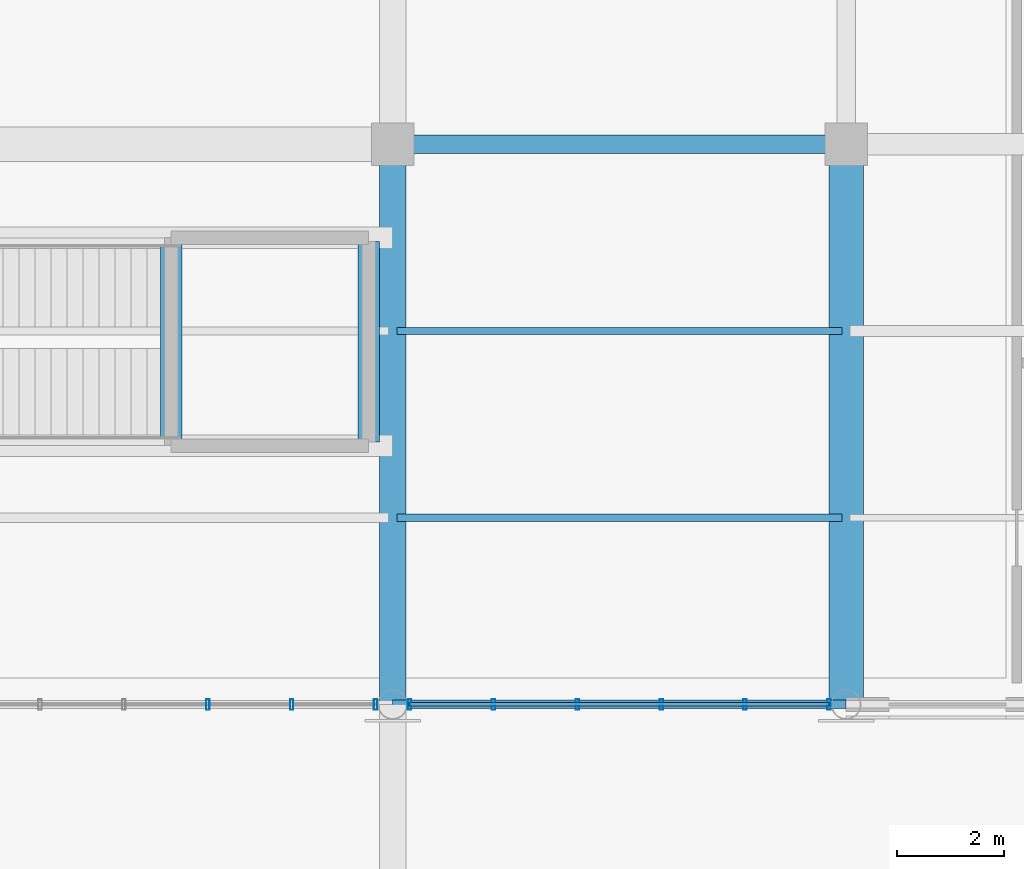
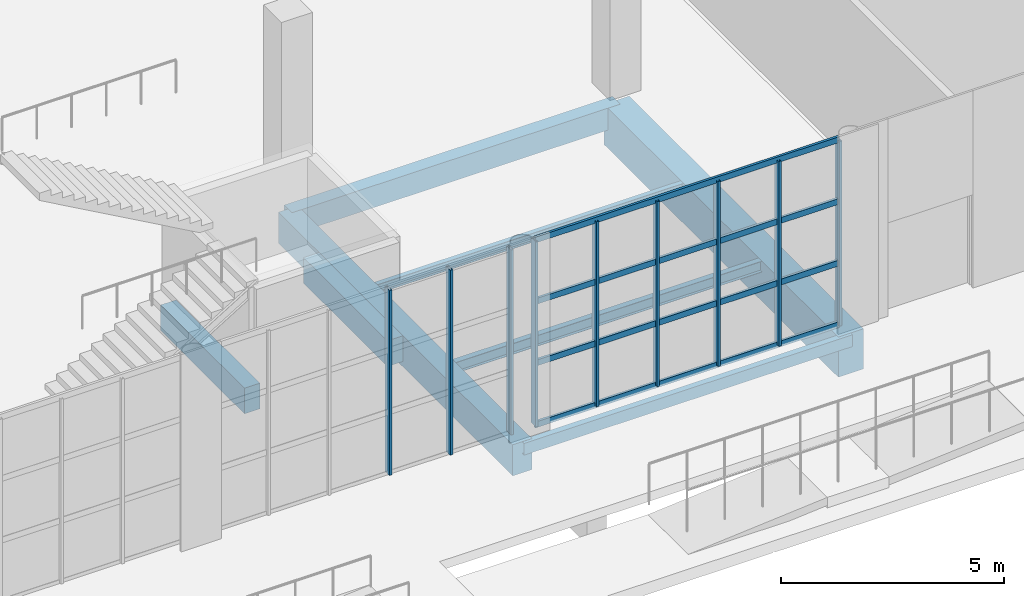
# One storey, part 10 of 90: 13 members, 8 beams, 2 elements without a shape of their own.
"""IFC4 building model written with IfcOpenShell, lengths in metres."""

from ifc_helpers import new_model, si_unit, direction, frame, origin, origin_2d, place, context, subcontext, project, spatial, rectangle, hollow_rectangle, i_section, extrude, material, material_profile, profile_set, type_object, element, aggregate, save


model = new_model("IFC4")

# Units and contexts
model_context = context("Model", 3, precision=1e-05, world=origin(), true_north=direction((0.0, 1.0)))
body_context = subcontext(model_context, "Body", "Model", "MODEL_VIEW")
ifc_project = project(units=[si_unit("LENGTHUNIT", "METRE"), si_unit("AREAUNIT", "SQUARE_METRE"), si_unit("VOLUMEUNIT", "CUBIC_METRE"), si_unit("PLANEANGLEUNIT", "RADIAN"), si_unit("MASSUNIT", "GRAM", prefix="KILO")], contexts=[model_context])

# Site, building, storey
site_placement = place(None, origin())
site = spatial("IfcSite", under=ifc_project, at=site_placement, CompositionType="ELEMENT")
building_placement = place(site_placement, origin())
building = spatial("IfcBuilding", under=site, at=building_placement, Name="Solvikara Media Centre", CompositionType="ELEMENT")
storey_placement = place(building_placement, origin())
storey = spatial("IfcBuildingStorey", under=building, at=storey_placement, Name="L00", CompositionType="ELEMENT", Elevation=0.0)

# Beams
ifc_material_1 = material(Name="Concrete fc' 35 MPa (C35/45)", Category="concrete")
ifc_material_profile_1 = material_profile(ifc_material_1, rectangle(XDim=0.35009765625, YDim=0.60009765625, at=origin_2d()), Name="RC 350x600")
ifc_profile_set_1 = profile_set([ifc_material_profile_1], Name="Concrete fc' 35 MPa (C35/45)")
beam_type_1 = type_object("IfcBeamType", Name="BM-01", PredefinedType="BEAM", material=ifc_profile_set_1)
beam_1_placement = place(storey_placement, frame((51.0, 10.5, -0.639892578125), z_axis=(1.0, 0.0, 0.0), x_axis=(0.0, 1.0, 0.0)))
element("IfcBeam", 1, at=beam_1_placement, inside=storey, type_object=beam_type_1, Name="B-L00-X0025", PredefinedType="BEAM", context=body_context, shape_type="SweptSolid", body=[
    extrude(rectangle(XDim=0.35009765625, YDim=0.60009765625, at=origin_2d()), origin(), (0.0, 0.0, 1.0), 8.5),
])
ifc_material_profile_2 = material_profile(ifc_material_1, rectangle(XDim=0.39990234375, YDim=0.699951171875, at=origin_2d()), Name="RC 400x700")
ifc_profile_set_2 = profile_set([ifc_material_profile_2], Name="Concrete fc' 35 MPa (C35/45)")
beam_type_2 = type_object("IfcBeamType", Name="BM-03", PredefinedType="BEAM", material=ifc_profile_set_2)
for number, where, z_axis, x_axis, name in (
    (2, (50.550048828125, 4.919921875, -0.68994140625), (0.0, 1.0, 0.0), (-1.0, 0.0, 0.0), "B-FOY1-E"),
    (3, (46.85009765625, 4.919921875, -0.68994140625), (0.0, 1.0, 0.0), (-1.0, 0.0, 0.0), "B-FOY1-W"),
):
    element("IfcBeam", number, at=place(storey_placement, frame(where, z_axis=z_axis, x_axis=x_axis)), inside=storey, type_object=beam_type_2, Name=name, PredefinedType="BEAM", context=body_context, shape_type="SweptSolid", body=[
        extrude(rectangle(XDim=0.39990234375, YDim=0.699951171875, at=origin_2d()), origin(), (0.0, 0.0, 1.0), 3.760009765625),
    ])
ifc_material_profile_3 = material_profile(ifc_material_1, rectangle(XDim=0.5, YDim=0.85009765625, at=origin_2d()), Name="RC 500x850")
ifc_profile_set_3 = profile_set([ifc_material_profile_3], Name="Concrete fc' 35 MPa (C35/45)")
beam_type_3 = type_object("IfcBeamType", Name="BM-08", PredefinedType="BEAM", material=ifc_profile_set_3)
beam_2_placement = place(storey_placement, frame((51.0, 0.0, -0.764892578125), z_axis=(0.0, 1.0, 0.0), x_axis=(-1.0, 0.0, 0.0)))
element("IfcBeam", 4, at=beam_2_placement, inside=storey, type_object=beam_type_3, Name="B-L00-Y0164", PredefinedType="BEAM", context=body_context, shape_type="SweptSolid", body=[
    extrude(rectangle(XDim=0.5, YDim=0.85009765625, at=origin_2d()), origin(), (0.0, 0.0, 1.0), 10.5),
])
ifc_material_2 = material(Name="Concrete fc' 45 MPa (C45/55)", Category="concrete")
ifc_material_profile_4 = material_profile(ifc_material_2, rectangle(XDim=0.64990234375, YDim=1.10009765625, at=origin_2d()), Name="RC 650x1100")
ifc_profile_set_4 = profile_set([ifc_material_profile_4], Name="Concrete fc' 45 MPa (C45/55)")
beam_type_4 = type_object("IfcBeamType", Name="BM-12", PredefinedType="BEAM", material=ifc_profile_set_4)
beam_3_placement = place(storey_placement, frame((59.5, 0.0, -0.889892578125), z_axis=(0.0, 1.0, 0.0), x_axis=(-1.0, 0.0, 0.0)))
element("IfcBeam", 5, at=beam_3_placement, inside=storey, type_object=beam_type_4, Name="B-L00-Y0168", PredefinedType="BEAM", context=body_context, shape_type="SweptSolid", body=[
    extrude(rectangle(XDim=0.64990234375, YDim=1.10009765625, at=origin_2d()), origin(), (0.0, 0.0, 1.0), 10.5),
])
ifc_material_3 = material(Name="Steel S355JR", Category="steel")
ifc_material_profile_5 = material_profile(ifc_material_3, i_section(OverallWidth=0.14892578125, OverallDepth=0.298095703125, WebThickness=0.005615234375, FlangeThickness=0.008056640625, at=origin_2d()), Name="WF 298x149x5.5x8")
ifc_profile_set_5 = profile_set([ifc_material_profile_5], Name="Steel S355JR")
beam_type_5 = type_object("IfcBeamType", Name="BM-39", PredefinedType="JOIST", material=ifc_profile_set_5)
beam_4_placement = place(storey_placement, frame((51.077880859375, 3.5, -0.490966796875), z_axis=(1.0, 0.0, 0.0), x_axis=(0.0, 1.0, 0.0)))
element("IfcBeam", 6, at=beam_4_placement, inside=storey, type_object=beam_type_5, Name="J-L00-0343", PredefinedType="JOIST", context=body_context, shape_type="SweptSolid", body=[
    extrude(i_section(OverallWidth=0.14892578125, OverallDepth=0.298095703125, WebThickness=0.005615234375, FlangeThickness=0.008056640625, at=origin_2d()), origin(), (0.0, 0.0, 1.0), 8.34423828125),
])
ifc_material_profile_6 = material_profile(ifc_material_3, i_section(OverallWidth=0.1240234375, OverallDepth=0.248046875, WebThickness=0.0048828125, FlangeThickness=0.008056640625, at=origin_2d()), Name="WF 248x124x5x8")
ifc_profile_set_6 = profile_set([ifc_material_profile_6], Name="Steel S355JR")
beam_type_6 = type_object("IfcBeamType", Name="BM-40", PredefinedType="JOIST", material=ifc_profile_set_6)
beam_5_placement = place(storey_placement, frame((51.077880859375, 7.0, -0.466064453125), z_axis=(1.0, 0.0, 0.0), x_axis=(0.0, 1.0, 0.0)))
element("IfcBeam", 7, at=beam_5_placement, inside=storey, type_object=beam_type_6, Name="J-L00-0344", PredefinedType="JOIST", context=body_context, shape_type="SweptSolid", body=[
    extrude(i_section(OverallWidth=0.1240234375, OverallDepth=0.248046875, WebThickness=0.0048828125, FlangeThickness=0.008056640625, at=origin_2d()), origin(), (0.0, 0.0, 1.0), 8.34423828125),
])
ifc_material_profile_7 = material_profile(ifc_material_3, hollow_rectangle(XDim=0.159912109375, YDim=0.320068359375, WallThickness=0.010009765625, at=origin_2d()), Name="RHS 320x160x10")
ifc_profile_set_7 = profile_set([ifc_material_profile_7], Name="Steel S355JR")
beam_type_7 = type_object("IfcBeamType", Name="BM-45", PredefinedType="SPANDREL", material=ifc_profile_set_7)
beam_6_placement = place(storey_placement, frame((51.0, 0.0, -0.501953125), z_axis=(1.0, 0.0, 0.0), x_axis=(0.0, 1.0, 0.0)))
element("IfcBeam", 8, at=beam_6_placement, inside=storey, type_object=beam_type_7, Name="B-L00-X0007", PredefinedType="SPANDREL", context=body_context, shape_type="SweptSolid", body=[
    extrude(hollow_rectangle(XDim=0.159912109375, YDim=0.320068359375, WallThickness=0.010009765625, at=origin_2d()), origin(), (0.0, 0.0, 1.0), 8.5),
])

# Curtain wall, members
ifc_material_4 = material(Name="Anodised aluminium EN AW-6063", Category="aluminium")
curtain_wall_type = type_object("IfcCurtainWallType", Name="CW-03", PredefinedType="NOTDEFINED", material=ifc_material_4)
curtain_wall_1_placement = place(storey_placement, origin())
curtain_wall_1 = element("IfcCurtainWall", 9, at=curtain_wall_1_placement, inside=storey, type_object=curtain_wall_type, Name="CW-L00-FOY-S2", PredefinedType="NOTDEFINED")
ifc_material_profile_8 = material_profile(ifc_material_4, hollow_rectangle(XDim=0.06494140625, YDim=0.199951171875, WallThickness=0.00390625, at=origin_2d()), Name="ALU-M 65x200x4")
ifc_profile_set_8 = profile_set([ifc_material_profile_8], Name="Anodised aluminium EN AW-6063")
member_type_1 = type_object("IfcMemberType", Name="MF-02", PredefinedType="MULLION", material=ifc_profile_set_8)
member_1_placement = place(storey_placement, frame((47.535888671875, 0.0, 0.02001953125), z_axis=(0.0, 0.0, 1.0), x_axis=(1.0, 0.0, 0.0)))
member_1 = element("IfcMember", 10, at=member_1_placement, type_object=member_type_1, Name="CW-L00-FOY-S2-M03", PredefinedType="MULLION", context=body_context, shape_type="SweptSolid", body=[
    extrude(hollow_rectangle(XDim=0.06494140625, YDim=0.199951171875, WallThickness=0.00390625, at=origin_2d()), origin(), (0.0, 0.0, 1.0), 5.06005859375),
])
member_2_placement = place(storey_placement, frame((49.10888671875, 0.0, 0.02001953125), z_axis=(0.0, 0.0, 1.0), x_axis=(1.0, 0.0, 0.0)))
member_2 = element("IfcMember", 11, at=member_2_placement, type_object=member_type_1, Name="CW-L00-FOY-S2-M04", PredefinedType="MULLION", context=body_context, shape_type="SweptSolid", body=[
    extrude(hollow_rectangle(XDim=0.06494140625, YDim=0.199951171875, WallThickness=0.00390625, at=origin_2d()), origin(), (0.0, 0.0, 1.0), 5.06005859375),
])
member_3_placement = place(storey_placement, frame((50.680908203125, 0.0, 0.02001953125), z_axis=(0.0, 0.0, 1.0), x_axis=(1.0, 0.0, 0.0)))
member_3 = element("IfcMember", 12, at=member_3_placement, type_object=member_type_1, Name="CW-L00-FOY-S2-M05", PredefinedType="MULLION", context=body_context, shape_type="SweptSolid", body=[
    extrude(hollow_rectangle(XDim=0.06494140625, YDim=0.199951171875, WallThickness=0.00390625, at=origin_2d()), origin(), (0.0, 0.0, 1.0), 5.06005859375),
])
aggregate(curtain_wall_1, [member_1, member_2, member_3])

curtain_wall_2_placement = place(storey_placement, origin())
curtain_wall_2 = element("IfcCurtainWall", 13, at=curtain_wall_2_placement, inside=storey, type_object=curtain_wall_type, Name="CW-L00-FOY-S3", PredefinedType="NOTDEFINED")
member_4_placement = place(storey_placement, frame((51.319091796875, 0.0, 0.02001953125), z_axis=(0.0, 0.0, 1.0), x_axis=(1.0, 0.0, 0.0)))
member_4 = element("IfcMember", 14, at=member_4_placement, type_object=member_type_1, Name="CW-L00-FOY-S3-M00", PredefinedType="MULLION", context=body_context, shape_type="SweptSolid", body=[
    extrude(hollow_rectangle(XDim=0.06494140625, YDim=0.199951171875, WallThickness=0.00390625, at=origin_2d()), origin(), (0.0, 0.0, 1.0), 5.06005859375),
])
member_5_placement = place(storey_placement, frame((52.89111328125, 0.0, 0.02001953125), z_axis=(0.0, 0.0, 1.0), x_axis=(1.0, 0.0, 0.0)))
member_5 = element("IfcMember", 15, at=member_5_placement, type_object=member_type_1, Name="CW-L00-FOY-S3-M01", PredefinedType="MULLION", context=body_context, shape_type="SweptSolid", body=[
    extrude(hollow_rectangle(XDim=0.06494140625, YDim=0.199951171875, WallThickness=0.00390625, at=origin_2d()), origin(), (0.0, 0.0, 1.0), 5.06005859375),
])
member_6_placement = place(storey_placement, frame((54.464111328125, 0.0, 0.02001953125), z_axis=(0.0, 0.0, 1.0), x_axis=(1.0, 0.0, 0.0)))
member_6 = element("IfcMember", 16, at=member_6_placement, type_object=member_type_1, Name="CW-L00-FOY-S3-M02", PredefinedType="MULLION", context=body_context, shape_type="SweptSolid", body=[
    extrude(hollow_rectangle(XDim=0.06494140625, YDim=0.199951171875, WallThickness=0.00390625, at=origin_2d()), origin(), (0.0, 0.0, 1.0), 5.06005859375),
])
member_7_placement = place(storey_placement, frame((56.035888671875, 0.0, 0.02001953125), z_axis=(0.0, 0.0, 1.0), x_axis=(1.0, 0.0, 0.0)))
member_7 = element("IfcMember", 17, at=member_7_placement, type_object=member_type_1, Name="CW-L00-FOY-S3-M03", PredefinedType="MULLION", context=body_context, shape_type="SweptSolid", body=[
    extrude(hollow_rectangle(XDim=0.06494140625, YDim=0.199951171875, WallThickness=0.00390625, at=origin_2d()), origin(), (0.0, 0.0, 1.0), 5.06005859375),
])
member_8_placement = place(storey_placement, frame((57.60888671875, 0.0, 0.02001953125), z_axis=(0.0, 0.0, 1.0), x_axis=(1.0, 0.0, 0.0)))
member_8 = element("IfcMember", 18, at=member_8_placement, type_object=member_type_1, Name="CW-L00-FOY-S3-M04", PredefinedType="MULLION", context=body_context, shape_type="SweptSolid", body=[
    extrude(hollow_rectangle(XDim=0.06494140625, YDim=0.199951171875, WallThickness=0.00390625, at=origin_2d()), origin(), (0.0, 0.0, 1.0), 5.06005859375),
])
member_9_placement = place(storey_placement, frame((59.180908203125, 0.0, 0.02001953125), z_axis=(0.0, 0.0, 1.0), x_axis=(1.0, 0.0, 0.0)))
member_9 = element("IfcMember", 19, at=member_9_placement, type_object=member_type_1, Name="CW-L00-FOY-S3-M05", PredefinedType="MULLION", context=body_context, shape_type="SweptSolid", body=[
    extrude(hollow_rectangle(XDim=0.06494140625, YDim=0.199951171875, WallThickness=0.00390625, at=origin_2d()), origin(), (0.0, 0.0, 1.0), 5.06005859375),
])
ifc_material_profile_9 = material_profile(ifc_material_4, hollow_rectangle(XDim=0.06494140625, YDim=0.159912109375, WallThickness=0.00341796875, at=origin_2d()), Name="ALU-T 65x160x3.5")
ifc_profile_set_9 = profile_set([ifc_material_profile_9], Name="Anodised aluminium EN AW-6063")
member_type_2 = type_object("IfcMemberType", Name="MF-08", PredefinedType="USERDEFINED", material=ifc_profile_set_9)
member_10_placement = place(storey_placement, frame((51.319091796875, 0.0, 0.02001953125), z_axis=(1.0, 0.0, 0.0), x_axis=(0.0, 1.0, 0.0)))
member_10 = element("IfcMember", 20, at=member_10_placement, type_object=member_type_2, Name="CW-L00-FOY-S3-T00", ObjectType="TRANSOM", PredefinedType="USERDEFINED", context=body_context, shape_type="SweptSolid", body=[
    extrude(hollow_rectangle(XDim=0.06494140625, YDim=0.159912109375, WallThickness=0.00341796875, at=origin_2d()), origin(), (0.0, 0.0, 1.0), 7.86181640625),
])
member_11_placement = place(storey_placement, frame((51.319091796875, 0.0, 1.70703125), z_axis=(1.0, 0.0, 0.0), x_axis=(0.0, 1.0, 0.0)))
member_11 = element("IfcMember", 21, at=member_11_placement, type_object=member_type_2, Name="CW-L00-FOY-S3-T01", ObjectType="TRANSOM", PredefinedType="USERDEFINED", context=body_context, shape_type="SweptSolid", body=[
    extrude(hollow_rectangle(XDim=0.06494140625, YDim=0.159912109375, WallThickness=0.00341796875, at=origin_2d()), origin(), (0.0, 0.0, 1.0), 7.86181640625),
])
member_12_placement = place(storey_placement, frame((51.319091796875, 0.0, 3.39306640625), z_axis=(1.0, 0.0, 0.0), x_axis=(0.0, 1.0, 0.0)))
member_12 = element("IfcMember", 22, at=member_12_placement, type_object=member_type_2, Name="CW-L00-FOY-S3-T02", ObjectType="TRANSOM", PredefinedType="USERDEFINED", context=body_context, shape_type="SweptSolid", body=[
    extrude(hollow_rectangle(XDim=0.06494140625, YDim=0.159912109375, WallThickness=0.00341796875, at=origin_2d()), origin(), (0.0, 0.0, 1.0), 7.86181640625),
])
member_13_placement = place(storey_placement, frame((51.319091796875, 0.0, 5.080078125), z_axis=(1.0, 0.0, 0.0), x_axis=(0.0, 1.0, 0.0)))
member_13 = element("IfcMember", 23, at=member_13_placement, type_object=member_type_2, Name="CW-L00-FOY-S3-T03", ObjectType="TRANSOM", PredefinedType="USERDEFINED", context=body_context, shape_type="SweptSolid", body=[
    extrude(hollow_rectangle(XDim=0.06494140625, YDim=0.159912109375, WallThickness=0.00341796875, at=origin_2d()), origin(), (0.0, 0.0, 1.0), 7.86181640625),
])
aggregate(curtain_wall_2, [member_4, member_5, member_6, member_7, member_8, member_9, member_10, member_11, member_12, member_13])

save(model, "model.ifc")
